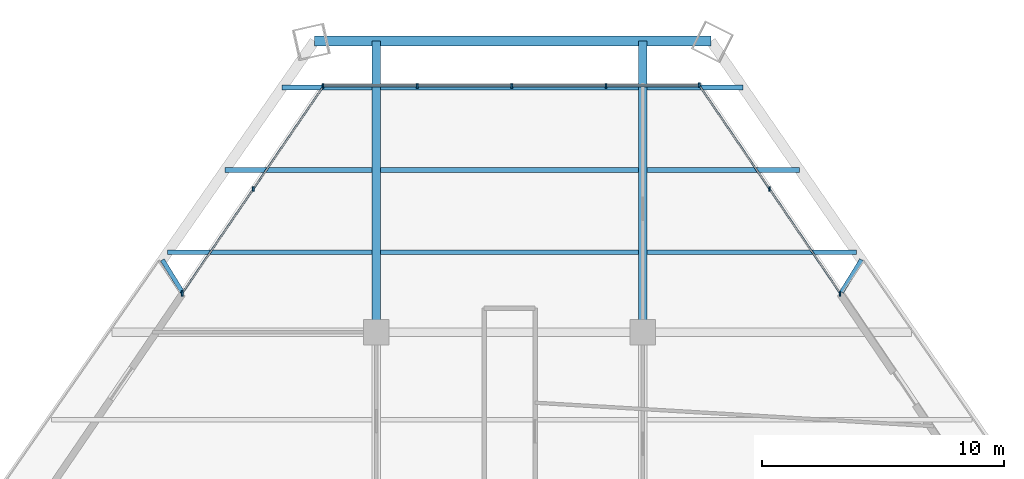
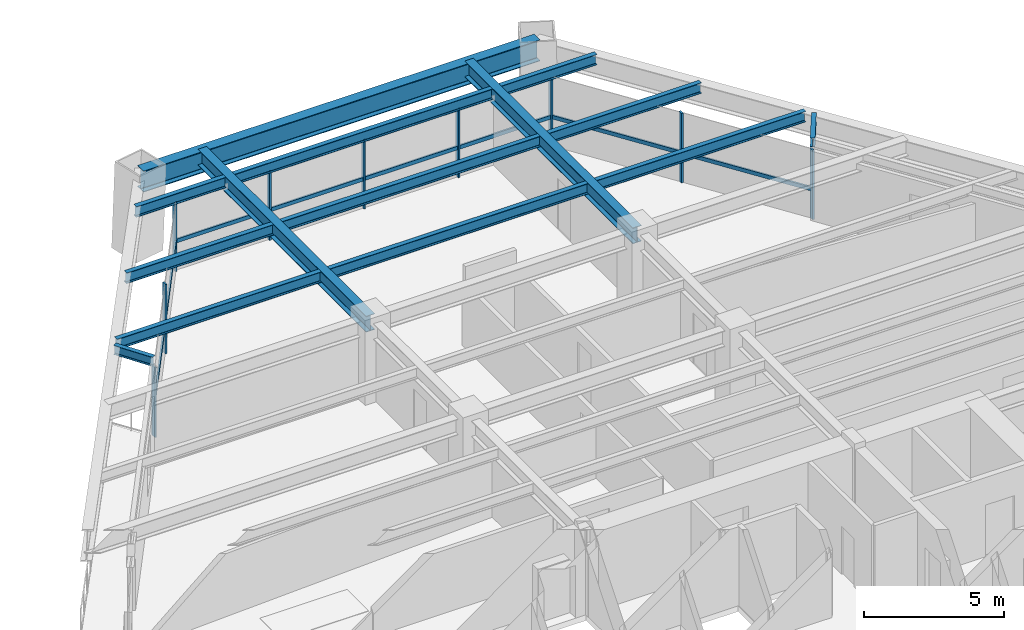
# One storey, part 8 of 14: 18 members, 14 beams, 3 elements without a shape of their own.
"""IFC4 building model written with IfcOpenShell, lengths in metres."""

from ifc_helpers import new_model, si_unit, direction, frame, origin, origin_2d, place, context, subcontext, project, spatial, rectangle, i_section, extrude, source, transform, mapped, material, material_profile, profile_set, type_object, type_shapes, element, aggregate, save


model = new_model("IFC4")

# Units and contexts
model_context = context("Model", 3, precision=1e-05, world=origin(), true_north=direction((0.0, 1.0)))
body_context = subcontext(model_context, "Body", "Model", "MODEL_VIEW")
ifc_project = project(units=[si_unit("LENGTHUNIT", "METRE"), si_unit("AREAUNIT", "SQUARE_METRE"), si_unit("VOLUMEUNIT", "CUBIC_METRE"), si_unit("PLANEANGLEUNIT", "RADIAN"), si_unit("MASSUNIT", "GRAM", prefix="KILO")], contexts=[model_context])

# Site, building, storey
site_placement = place(None, origin())
site = spatial("IfcSite", under=ifc_project, at=site_placement, CompositionType="ELEMENT")
building_placement = place(site_placement, origin())
building = spatial("IfcBuilding", under=site, at=building_placement, Name="Varnakhor Terracotta Tower", CompositionType="ELEMENT")
storey_placement = place(building_placement, frame((0.0, 0.0, 34.89990234375)))
storey = spatial("IfcBuildingStorey", under=building, at=storey_placement, Name="L07", CompositionType="ELEMENT", Elevation=34.89990234375)

# Beams
ifc_material_1 = material(Name="Steel S355", Category="steel")
ifc_material_profile_1 = material_profile(ifc_material_1, i_section(OverallWidth=0.19189453125, OverallDepth=0.462890625, WebThickness=0.010498046875, FlangeThickness=0.017578125, FilletRadius=0.01806640625, at=origin_2d()), Name="W18X60")
ifc_profile_set_1 = profile_set([ifc_material_profile_1], Name="Steel S355")
beam_type_1 = type_object("IfcBeamType", Name="JST-W18X60", PredefinedType="JOIST", material=ifc_profile_set_1)
shared_shape_1 = source(origin(), body_context, "Body", "SweptSolid", [
    extrude(i_section(OverallWidth=0.19189453125, OverallDepth=0.462890625, WebThickness=0.010498046875, FlangeThickness=0.017578125, FilletRadius=0.01806640625, at=origin_2d()), origin(), (0.0, 0.0, 1.0), 10.65283203125),
])
for number, where, z_axis, x_axis, name in (
    (1, (-5.326416015625, 34.800048828125, 3.218505859375), (1.0, 0.0, 0.0), (0.0, 1.0, 0.0), "L07 Composite Floor Joist 7-2"),
    (2, (-5.326416015625, 38.199951171875, 3.218505859375), (1.0, 0.0, 0.0), (0.0, 1.0, 0.0), "L07 Composite Floor Joist 8-2"),
    (3, (-5.326416015625, 41.60009765625, 3.218505859375), (1.0, 0.0, 0.0), (0.0, 1.0, 0.0), "L07 Composite Floor Joist 9-2"),
):
    element("IfcBeam", number, at=place(storey_placement, frame(where, z_axis=z_axis, x_axis=x_axis)), inside=storey, type_object=beam_type_1, Name=name, PredefinedType="JOIST", context=body_context, shape_type="MappedRepresentation", body=[
        mapped(shared_shape_1, transform((0.0, 0.0, 0.0), scale=1.0)),
    ])
ifc_material_profile_2 = material_profile(ifc_material_1, i_section(OverallWidth=0.41796875, OverallDepth=0.927001953125, WebThickness=0.01904296875, FlangeThickness=0.031982421875, FilletRadius=0.01806640625, at=origin_2d()), Name="W36X231")
ifc_profile_set_2 = profile_set([ifc_material_profile_2], Name="Steel S355")
beam_type_2 = type_object("IfcBeamType", Name="BM-W36X231", PredefinedType="BEAM", material=ifc_profile_set_2)
shared_shape_2 = source(origin(), body_context, "Body", "SweptSolid", [
    extrude(i_section(OverallWidth=0.41796875, OverallDepth=0.927001953125, WebThickness=0.01904296875, FlangeThickness=0.031982421875, FilletRadius=0.01806640625, at=origin_2d()), origin(), (0.0, 0.0, 1.0), 16.35009765625),
])
beam_1_placement = place(storey_placement, frame((8.30419921875, 43.512939453125, 2.986572265625), z_axis=(-1.0, 0.0, 0.0), x_axis=(0.0, -1.0, 0.0)))
element("IfcBeam", 4, at=beam_1_placement, inside=storey, type_object=beam_type_2, Name="L07 Perimeter Spandrel 5", PredefinedType="BEAM", context=body_context, shape_type="MappedRepresentation", body=[
    mapped(shared_shape_2, transform((0.0, 0.0, 0.0), scale=1.0)),
])
ifc_material_profile_3 = material_profile(ifc_material_1, i_section(OverallWidth=0.35498046875, OverallDepth=0.695068359375, WebThickness=0.014892578125, FlangeThickness=0.02490234375, FilletRadius=0.01806640625, at=origin_2d()), Name="W27X146")
ifc_profile_set_3 = profile_set([ifc_material_profile_3], Name="Steel S355")
beam_type_3 = type_object("IfcBeamType", Name="BM-W27X146", PredefinedType="BEAM", material=ifc_profile_set_3)
shared_shape_3 = source(origin(), body_context, "Body", "SweptSolid", [
    extrude(i_section(OverallWidth=0.35498046875, OverallDepth=0.695068359375, WebThickness=0.014892578125, FlangeThickness=0.02490234375, FilletRadius=0.01806640625, at=origin_2d()), origin(), (0.0, 0.0, 1.0), 12.012939453125),
])
for number, where, z_axis, x_axis, name in (
    (5, (-5.5, 31.5, 3.1025390625), (0.0, 1.0, 0.0), (-1.0, 0.0, 0.0), "L07 Primary Girder NS3-W"),
    (6, (5.5, 31.5, 3.1025390625), (0.0, 1.0, 0.0), (-1.0, 0.0, 0.0), "L07 Primary Girder NS3-E"),
):
    element("IfcBeam", number, at=place(storey_placement, frame(where, z_axis=z_axis, x_axis=x_axis)), inside=storey, type_object=beam_type_3, Name=name, PredefinedType="BEAM", context=body_context, shape_type="MappedRepresentation", body=[
        mapped(shared_shape_3, transform((0.0, 0.0, 0.0), scale=1.0)),
    ])
shared_shape_4 = source(origin(), body_context, "Body", "SweptSolid", [
    extrude(i_section(OverallWidth=0.19189453125, OverallDepth=0.462890625, WebThickness=0.010498046875, FlangeThickness=0.017578125, FilletRadius=0.01806640625, at=origin_2d()), origin(), (0.0, 0.0, 1.0), 8.42822265625),
])
beam_2_placement = place(storey_placement, frame((-14.101806640625, 34.800048828125, 3.218505859375), z_axis=(1.0, 0.0, 0.0), x_axis=(0.0, 1.0, 0.0)))
element("IfcBeam", 7, at=beam_2_placement, inside=storey, type_object=beam_type_1, Name="L07 Composite Floor Joist 7-1", PredefinedType="JOIST", context=body_context, shape_type="MappedRepresentation", body=[
    mapped(shared_shape_4, transform((0.0, 0.0, 0.0), scale=1.0)),
])
shared_shape_5 = source(origin(), body_context, "Body", "SweptSolid", [
    extrude(i_section(OverallWidth=0.19189453125, OverallDepth=0.462890625, WebThickness=0.010498046875, FlangeThickness=0.017578125, FilletRadius=0.01806640625, at=origin_2d()), origin(), (0.0, 0.0, 1.0), 8.635009765625),
])
beam_3_placement = place(storey_placement, frame((5.673583984375, 34.800048828125, 3.218505859375), z_axis=(1.0, 0.0, 0.0), x_axis=(0.0, 1.0, 0.0)))
element("IfcBeam", 8, at=beam_3_placement, inside=storey, type_object=beam_type_1, Name="L07 Composite Floor Joist 7-3", PredefinedType="JOIST", context=body_context, shape_type="MappedRepresentation", body=[
    mapped(shared_shape_5, transform((0.0, 0.0, 0.0), scale=1.0)),
])
shared_shape_6 = source(origin(), body_context, "Body", "SweptSolid", [
    extrude(i_section(OverallWidth=0.19189453125, OverallDepth=0.462890625, WebThickness=0.010498046875, FlangeThickness=0.017578125, FilletRadius=0.01806640625, at=origin_2d()), origin(), (0.0, 0.0, 1.0), 6.065185546875),
])
beam_4_placement = place(storey_placement, frame((-11.73876953125, 38.199951171875, 3.218505859375), z_axis=(1.0, 0.0, 0.0), x_axis=(0.0, 1.0, 0.0)))
element("IfcBeam", 9, at=beam_4_placement, inside=storey, type_object=beam_type_1, Name="L07 Composite Floor Joist 8-1", PredefinedType="JOIST", context=body_context, shape_type="MappedRepresentation", body=[
    mapped(shared_shape_6, transform((0.0, 0.0, 0.0), scale=1.0)),
])
shared_shape_7 = source(origin(), body_context, "Body", "SweptSolid", [
    extrude(i_section(OverallWidth=0.19189453125, OverallDepth=0.462890625, WebThickness=0.010498046875, FlangeThickness=0.017578125, FilletRadius=0.01806640625, at=origin_2d()), origin(), (0.0, 0.0, 1.0), 6.2919921875),
])
beam_5_placement = place(storey_placement, frame((5.673583984375, 38.199951171875, 3.218505859375), z_axis=(1.0, 0.0, 0.0), x_axis=(0.0, 1.0, 0.0)))
element("IfcBeam", 10, at=beam_5_placement, inside=storey, type_object=beam_type_1, Name="L07 Composite Floor Joist 8-3", PredefinedType="JOIST", context=body_context, shape_type="MappedRepresentation", body=[
    mapped(shared_shape_7, transform((0.0, 0.0, 0.0), scale=1.0)),
])
shared_shape_8 = source(origin(), body_context, "Body", "SweptSolid", [
    extrude(i_section(OverallWidth=0.19189453125, OverallDepth=0.462890625, WebThickness=0.010498046875, FlangeThickness=0.017578125, FilletRadius=0.01806640625, at=origin_2d()), origin(), (0.0, 0.0, 1.0), 3.701904296875),
])
beam_6_placement = place(storey_placement, frame((-9.37548828125, 41.60009765625, 3.218505859375), z_axis=(1.0, 0.0, 0.0), x_axis=(0.0, 1.0, 0.0)))
element("IfcBeam", 11, at=beam_6_placement, inside=storey, type_object=beam_type_1, Name="L07 Composite Floor Joist 9-1", PredefinedType="JOIST", context=body_context, shape_type="MappedRepresentation", body=[
    mapped(shared_shape_8, transform((0.0, 0.0, 0.0), scale=1.0)),
])
shared_shape_9 = source(origin(), body_context, "Body", "SweptSolid", [
    extrude(i_section(OverallWidth=0.19189453125, OverallDepth=0.462890625, WebThickness=0.010498046875, FlangeThickness=0.017578125, FilletRadius=0.01806640625, at=origin_2d()), origin(), (0.0, 0.0, 1.0), 3.948974609375),
])
beam_7_placement = place(storey_placement, frame((5.673583984375, 41.60009765625, 3.218505859375), z_axis=(1.0, 0.0, 0.0), x_axis=(0.0, 1.0, 0.0)))
element("IfcBeam", 12, at=beam_7_placement, inside=storey, type_object=beam_type_1, Name="L07 Composite Floor Joist 9-3", PredefinedType="JOIST", context=body_context, shape_type="MappedRepresentation", body=[
    mapped(shared_shape_9, transform((0.0, 0.0, 0.0), scale=1.0)),
])

# Curtain wall, members
ifc_material_2 = material(Name="Anodised Aluminium Curtain Wall System", Category="aluminium")
curtain_wall_type = type_object("IfcCurtainWallType", Name="CW-SYS-LOW-OFFICE", PredefinedType="NOTDEFINED", material=ifc_material_2)
curtain_wall_1_placement = place(storey_placement, origin())
curtain_wall_1 = element("IfcCurtainWall", 13, at=curtain_wall_1_placement, inside=storey, type_object=curtain_wall_type, Name="L07 W Facet Curtain Wall 2", PredefinedType="NOTDEFINED")
ifc_material_3 = material(Name="Anodised Aluminium 6063-T6", Category="aluminium")
ifc_material_profile_4 = material_profile(ifc_material_3, rectangle(XDim=0.074951171875, YDim=0.18505859375, at=origin_2d()), Name="ALU MULLION 75x185")
ifc_profile_set_4 = profile_set([ifc_material_profile_4], Name="Anodised Aluminium 6063-T6")
member_type_1 = type_object("IfcMemberType", Name="CWM-02", PredefinedType="MULLION", material=ifc_profile_set_4)
shared_shape_10 = source(origin(), body_context, "Body", "SweptSolid", [
    extrude(rectangle(XDim=0.074951171875, YDim=0.18505859375, at=origin_2d()), origin(), (0.0, 0.0, 1.0), 3.030029296875),
])
type_shapes(member_type_1, [shared_shape_10])
member_1_placement = place(storey_placement, frame((-13.494140625, 33.12158203125, 0.0), z_axis=(0.0, 0.0, 1.0), x_axis=(1.0, 0.0, 0.0)))
member_1 = element("IfcMember", 14, at=member_1_placement, type_object=member_type_1, Name="L07 W Facet Curtain Wall 2 Mullion 1", PredefinedType="MULLION", context=body_context, shape_type="MappedRepresentation", body=[
    mapped(shared_shape_10, transform((0.0, 0.0, 0.0), scale=1.0)),
])
member_2_placement = place(storey_placement, frame((-10.5693359375, 37.410400390625, 0.0), z_axis=(0.0, 0.0, 1.0), x_axis=(1.0, 0.0, 0.0)))
member_2 = element("IfcMember", 15, at=member_2_placement, type_object=member_type_1, Name="L07 W Facet Curtain Wall 2 Mullion 2", PredefinedType="MULLION", context=body_context, shape_type="MappedRepresentation", body=[
    mapped(shared_shape_10, transform((0.0, 0.0, 0.0), scale=1.0)),
])
member_3_placement = place(storey_placement, frame((-13.494384765625, 33.08544921875, 0.0), z_axis=(0.0, 0.0, 1.0), x_axis=(1.0, 0.0, 0.0)))
member_3 = element("IfcMember", 16, at=member_3_placement, type_object=member_type_1, Name="L07 W Loggia Jamb Closure Mullion 2", PredefinedType="MULLION", context=body_context, shape_type="MappedRepresentation", body=[
    mapped(shared_shape_10, transform((0.0, 0.0, 0.0), scale=1.0)),
])

curtain_wall_2_placement = place(storey_placement, origin())
curtain_wall_2 = element("IfcCurtainWall", 17, at=curtain_wall_2_placement, inside=storey, type_object=curtain_wall_type, Name="L07 Facet Curtain Wall 2", PredefinedType="NOTDEFINED")
member_4_placement = place(storey_placement, frame((-7.69677734375, 41.671875, 0.0), z_axis=(0.0, 0.0, 1.0), x_axis=(1.0, 0.0, 0.0)))
member_4 = element("IfcMember", 18, at=member_4_placement, type_object=member_type_1, Name="L07 Facet Curtain Wall 2 Mullion 1", PredefinedType="MULLION", context=body_context, shape_type="MappedRepresentation", body=[
    mapped(shared_shape_10, transform((0.0, 0.0, 0.0), scale=1.0)),
])
member_5_placement = place(storey_placement, frame((-3.80517578125, 41.671875, 0.0), z_axis=(0.0, 0.0, 1.0), x_axis=(1.0, 0.0, 0.0)))
member_5 = element("IfcMember", 19, at=member_5_placement, type_object=member_type_1, Name="L07 Facet Curtain Wall 2 Mullion 2", PredefinedType="MULLION", context=body_context, shape_type="MappedRepresentation", body=[
    mapped(shared_shape_10, transform((0.0, 0.0, 0.0), scale=1.0)),
])
member_6_placement = place(storey_placement, frame((0.086181640625, 41.671875, 0.0), z_axis=(0.0, 0.0, 1.0), x_axis=(1.0, 0.0, 0.0)))
member_6 = element("IfcMember", 20, at=member_6_placement, type_object=member_type_1, Name="L07 Facet Curtain Wall 2 Mullion 3", PredefinedType="MULLION", context=body_context, shape_type="MappedRepresentation", body=[
    mapped(shared_shape_10, transform((0.0, 0.0, 0.0), scale=1.0)),
])
member_7_placement = place(storey_placement, frame((3.977783203125, 41.671875, 0.0), z_axis=(0.0, 0.0, 1.0), x_axis=(1.0, 0.0, 0.0)))
member_7 = element("IfcMember", 21, at=member_7_placement, type_object=member_type_1, Name="L07 Facet Curtain Wall 2 Mullion 4", PredefinedType="MULLION", context=body_context, shape_type="MappedRepresentation", body=[
    mapped(shared_shape_10, transform((0.0, 0.0, 0.0), scale=1.0)),
])

curtain_wall_3_placement = place(storey_placement, origin())
curtain_wall_3 = element("IfcCurtainWall", 22, at=curtain_wall_3_placement, inside=storey, type_object=curtain_wall_type, Name="L07 E Facet Curtain Wall 1", PredefinedType="NOTDEFINED")
member_8_placement = place(storey_placement, frame((7.81689453125, 41.69970703125, 0.0), z_axis=(0.0, 0.0, 1.0), x_axis=(1.0, 0.0, 0.0)))
member_8 = element("IfcMember", 23, at=member_8_placement, type_object=member_type_1, Name="L07 E Facet Curtain Wall 1 Mullion 1", PredefinedType="MULLION", context=body_context, shape_type="MappedRepresentation", body=[
    mapped(shared_shape_10, transform((0.0, 0.0, 0.0), scale=1.0)),
])
member_9_placement = place(storey_placement, frame((10.72265625, 37.41259765625, 0.0), z_axis=(0.0, 0.0, 1.0), x_axis=(1.0, 0.0, 0.0)))
member_9 = element("IfcMember", 24, at=member_9_placement, type_object=member_type_1, Name="L07 E Facet Curtain Wall 1 Mullion 2", PredefinedType="MULLION", context=body_context, shape_type="MappedRepresentation", body=[
    mapped(shared_shape_10, transform((0.0, 0.0, 0.0), scale=1.0)),
])
member_10_placement = place(storey_placement, frame((13.62890625, 33.089599609375, 0.0), z_axis=(0.0, 0.0, 1.0), x_axis=(1.0, 0.0, 0.0)))
member_10 = element("IfcMember", 25, at=member_10_placement, type_object=member_type_1, Name="L07 E Loggia Jamb Closure Mullion 1", PredefinedType="MULLION", context=body_context, shape_type="MappedRepresentation", body=[
    mapped(shared_shape_10, transform((0.0, 0.0, 0.0), scale=1.0)),
])

# Member
ifc_material_profile_5 = material_profile(ifc_material_3, rectangle(XDim=0.074951171875, YDim=0.1650390625, at=origin_2d()), Name="ALU TRANSOM 75x165")
ifc_profile_set_5 = profile_set([ifc_material_profile_5], Name="Anodised Aluminium 6063-T6")
member_type_2 = type_object("IfcMemberType", Name="CWT-02", PredefinedType="USERDEFINED", material=ifc_profile_set_5)
shared_shape_11 = source(origin(), body_context, "Body", "SweptSolid", [
    extrude(rectangle(XDim=0.074951171875, YDim=0.1650390625, at=origin_2d()), origin(), (0.0, 0.0, 1.0), 5.191162109375),
])
member_11_placement = place(storey_placement, frame((-13.494140625, 33.12158203125, 1.272705078125), z_axis=(0.563417084418, 0.826172614522, 0.0), x_axis=(-0.826172614522, 0.563417084418, 0.0)))
member_11 = element("IfcMember", 26, at=member_11_placement, type_object=member_type_2, Name="L07 W Facet Curtain Wall 2 Transom 1", ObjectType="TRANSOM", PredefinedType="USERDEFINED", context=body_context, shape_type="MappedRepresentation", body=[
    mapped(shared_shape_11, transform((0.0, 0.0, 0.0), scale=1.0)),
])

shared_shape_12 = source(origin(), body_context, "Body", "SweptSolid", [
    extrude(rectangle(XDim=0.074951171875, YDim=0.1650390625, at=origin_2d()), origin(), (0.0, 0.0, 1.0), 5.19140625),
])
member_12_placement = place(storey_placement, frame((-10.5693359375, 37.410400390625, 1.272705078125), z_axis=(0.563395193647, 0.826187542738, 0.0), x_axis=(-0.826187542738, 0.563395193647, 0.0)))
member_12 = element("IfcMember", 27, at=member_12_placement, type_object=member_type_2, Name="L07 W Facet Curtain Wall 2 Transom 2", ObjectType="TRANSOM", PredefinedType="USERDEFINED", context=body_context, shape_type="MappedRepresentation", body=[
    mapped(shared_shape_12, transform((0.0, 0.0, 0.0), scale=1.0)),
])

aggregate(curtain_wall_1, [member_1, member_11, member_2, member_12, member_3])

shared_shape_13 = source(origin(), body_context, "Body", "SweptSolid", [
    extrude(rectangle(XDim=0.074951171875, YDim=0.1650390625, at=origin_2d()), origin(), (0.0, 0.0, 1.0), 3.8916015625),
])
member_13_placement = place(storey_placement, frame((-7.69677734375, 41.671875, 1.272705078125), z_axis=(1.0, 0.0, 0.0), x_axis=(0.0, 1.0, 0.0)))
member_13 = element("IfcMember", 28, at=member_13_placement, type_object=member_type_2, Name="L07 Facet Curtain Wall 2 Transom 1", ObjectType="TRANSOM", PredefinedType="USERDEFINED", context=body_context, shape_type="MappedRepresentation", body=[
    mapped(shared_shape_13, transform((0.0, 0.0, 0.0), scale=1.0)),
])

member_14_placement = place(storey_placement, frame((0.086181640625, 41.671875, 1.272705078125), z_axis=(1.0, 0.0, 0.0), x_axis=(0.0, 1.0, 0.0)))
member_14 = element("IfcMember", 29, at=member_14_placement, type_object=member_type_2, Name="L07 Facet Curtain Wall 2 Transom 3", ObjectType="TRANSOM", PredefinedType="USERDEFINED", context=body_context, shape_type="MappedRepresentation", body=[
    mapped(shared_shape_13, transform((0.0, 0.0, 0.0), scale=1.0)),
])

member_15_placement = place(storey_placement, frame((3.977783203125, 41.671875, 1.272705078125), z_axis=(1.0, 0.0, 0.0), x_axis=(0.0, 1.0, 0.0)))
member_15 = element("IfcMember", 30, at=member_15_placement, type_object=member_type_2, Name="L07 Facet Curtain Wall 2 Transom 4", ObjectType="TRANSOM", PredefinedType="USERDEFINED", context=body_context, shape_type="MappedRepresentation", body=[
    mapped(shared_shape_13, transform((0.0, 0.0, 0.0), scale=1.0)),
])

shared_shape_14 = source(origin(), body_context, "Body", "SweptSolid", [
    extrude(rectangle(XDim=0.074951171875, YDim=0.1650390625, at=origin_2d()), origin(), (0.0, 0.0, 1.0), 3.891357421875),
])
member_16_placement = place(storey_placement, frame((-3.80517578125, 41.671875, 1.272705078125), z_axis=(1.0, 0.0, 0.0), x_axis=(0.0, 1.0, 0.0)))
member_16 = element("IfcMember", 31, at=member_16_placement, type_object=member_type_2, Name="L07 Facet Curtain Wall 2 Transom 2", ObjectType="TRANSOM", PredefinedType="USERDEFINED", context=body_context, shape_type="MappedRepresentation", body=[
    mapped(shared_shape_14, transform((0.0, 0.0, 0.0), scale=1.0)),
])

aggregate(curtain_wall_2, [member_4, member_13, member_5, member_16, member_6, member_14, member_7, member_15])

shared_shape_15 = source(origin(), body_context, "Body", "SweptSolid", [
    extrude(rectangle(XDim=0.074951171875, YDim=0.1650390625, at=origin_2d()), origin(), (0.0, 0.0, 1.0), 5.178955078125),
])
member_17_placement = place(storey_placement, frame((7.81689453125, 41.69970703125, 1.272705078125), z_axis=(0.561058676132, -0.827776033681, 0.0), x_axis=(0.827776033681, 0.561058676132, 0.0)))
member_17 = element("IfcMember", 32, at=member_17_placement, type_object=member_type_2, Name="L07 E Facet Curtain Wall 1 Transom 1", ObjectType="TRANSOM", PredefinedType="USERDEFINED", context=body_context, shape_type="MappedRepresentation", body=[
    mapped(shared_shape_15, transform((0.0, 0.0, 0.0), scale=1.0)),
])

member_18_placement = place(storey_placement, frame((10.72265625, 37.41259765625, 1.272705078125), z_axis=(0.561058676132, -0.827776033681, 0.0), x_axis=(0.827776033681, 0.561058676132, 0.0)))
member_18 = element("IfcMember", 33, at=member_18_placement, type_object=member_type_2, Name="L07 E Facet Curtain Wall 1 Transom 2", ObjectType="TRANSOM", PredefinedType="USERDEFINED", context=body_context, shape_type="MappedRepresentation", body=[
    mapped(shared_shape_15, transform((0.0, 0.0, 0.0), scale=1.0)),
])

aggregate(curtain_wall_3, [member_8, member_17, member_9, member_18, member_10])

# Beams
ifc_material_profile_6 = material_profile(ifc_material_1, i_section(OverallWidth=0.179931640625, OverallDepth=0.39990234375, WebThickness=0.008544921875, FlangeThickness=0.013427734375, FilletRadius=0.01806640625, at=origin_2d()), Name="IPE400")
ifc_profile_set_6 = profile_set([ifc_material_profile_6], Name="Steel S355")
beam_type_4 = type_object("IfcBeamType", Name="JST-IPE400", PredefinedType="JOIST", material=ifc_profile_set_6)
shared_shape_16 = source(origin(), body_context, "Body", "SweptSolid", [
    extrude(i_section(OverallWidth=0.179931640625, OverallDepth=0.39990234375, WebThickness=0.008544921875, FlangeThickness=0.013427734375, FilletRadius=0.01806640625, at=origin_2d()), origin(), (0.0, 0.0, 1.0), 1.575927734375),
])
beam_8_placement = place(storey_placement, frame((13.689208984375, 33.156005859375, 3.25), z_axis=(0.525661086003, 0.850694082889, 0.0), x_axis=(-0.850694082889, 0.525661086003, 0.0)))
element("IfcBeam", 34, at=beam_8_placement, inside=storey, type_object=beam_type_4, Name="L08 E Loggia Tie Beam 1", PredefinedType="JOIST", context=body_context, shape_type="MappedRepresentation", body=[
    mapped(shared_shape_16, transform((0.0, 0.0, 0.0), scale=1.0)),
])
shared_shape_17 = source(origin(), body_context, "Body", "SweptSolid", [
    extrude(i_section(OverallWidth=0.179931640625, OverallDepth=0.39990234375, WebThickness=0.008544921875, FlangeThickness=0.013427734375, FilletRadius=0.01806640625, at=origin_2d()), origin(), (0.0, 0.0, 1.0), 1.57568359375),
])
beam_9_placement = place(storey_placement, frame((-13.48828125, 33.150390625, 3.25), z_axis=(-0.525842478427, 0.850581970113, 0.0), x_axis=(-0.850581970113, -0.525842478427, 0.0)))
element("IfcBeam", 35, at=beam_9_placement, inside=storey, type_object=beam_type_4, Name="L08 W Loggia Tie Beam 2", PredefinedType="JOIST", context=body_context, shape_type="MappedRepresentation", body=[
    mapped(shared_shape_17, transform((0.0, 0.0, 0.0), scale=1.0)),
])

save(model, "model.ifc")
